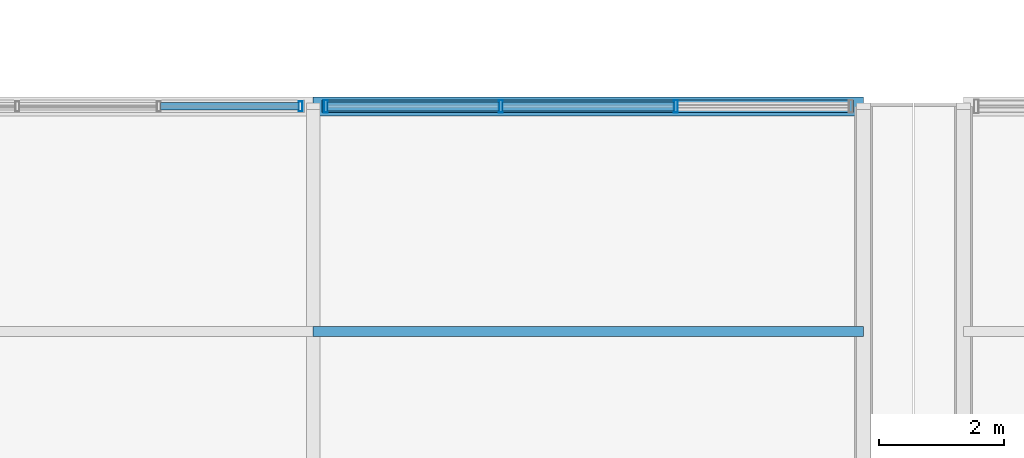
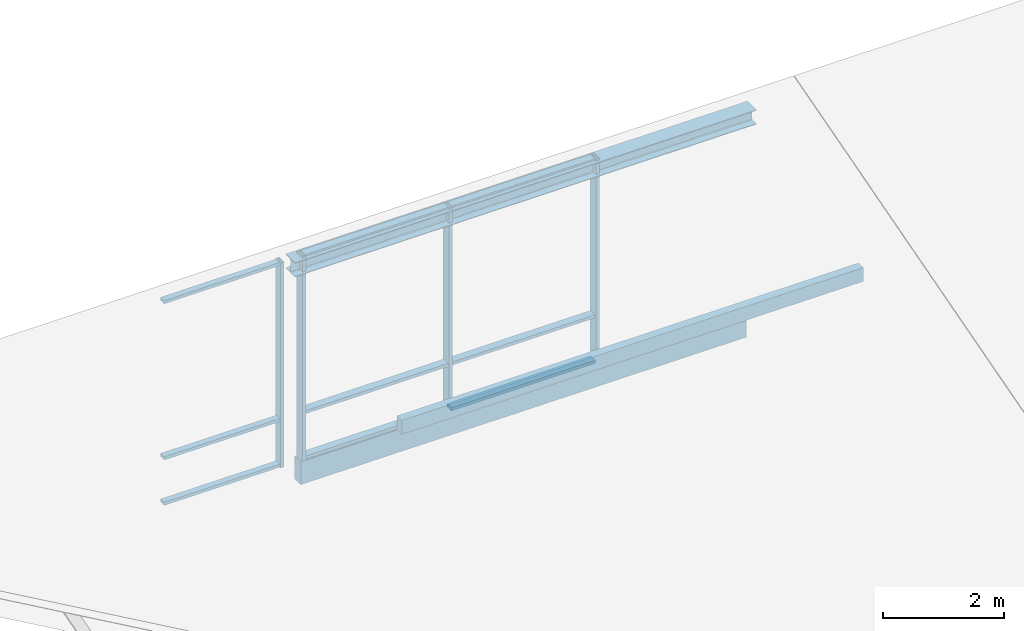
# One storey, part 5 of 32: 14 members, 2 beams, 2 elements without a shape of their own.
"""IFC4 building model written with IfcOpenShell, lengths in metres."""

from ifc_helpers import new_model, si_unit, direction, frame, origin, origin_2d, place, context, subcontext, project, spatial, rectangle, hollow_rectangle, i_section, extrude, material, material_profile, profile_set, type_object, element, aggregate, save


model = new_model("IFC4")

# Units and contexts
model_context = context("Model", 3, precision=1e-05, world=origin(), true_north=direction((0.0, 1.0)))
body_context = subcontext(model_context, "Body", "Model", "MODEL_VIEW")
ifc_project = project(units=[si_unit("LENGTHUNIT", "METRE"), si_unit("AREAUNIT", "SQUARE_METRE"), si_unit("VOLUMEUNIT", "CUBIC_METRE"), si_unit("PLANEANGLEUNIT", "RADIAN"), si_unit("MASSUNIT", "GRAM", prefix="KILO")], contexts=[model_context])

# Site, building, storey
site_placement = place(None, origin())
site = spatial("IfcSite", under=ifc_project, at=site_placement, CompositionType="ELEMENT")
building_placement = place(site_placement, origin())
building = spatial("IfcBuilding", under=site, at=building_placement, Name="Hawrajan Terrace Health Centre", CompositionType="ELEMENT")
storey_placement = place(building_placement, frame((0.0, 0.0, 17.39990234375)))
storey = spatial("IfcBuildingStorey", under=building, at=storey_placement, Name="L04", CompositionType="ELEMENT", Elevation=17.39990234375)

# Curtain wall, member
ifc_material_1 = material(Name="Anodized bronze aluminium and low-E solar glazing", Category="aluminium")
curtain_wall_type_1 = type_object("IfcCurtainWallType", Name="CW_Clerestory_SeriesG1", PredefinedType="USERDEFINED", material=ifc_material_1)
curtain_wall_1_placement = place(storey_placement, origin())
curtain_wall_1 = element("IfcCurtainWall", 1, at=curtain_wall_1_placement, inside=storey, type_object=curtain_wall_type_1, Name="Curtain wall CW-L04-CLER-180", ObjectType="UNITISED CURTAIN WALL", PredefinedType="USERDEFINED")
ifc_material_2 = material(Name="Anodized bronze aluminium 6063-T6", Category="aluminium")
ifc_material_profile_1 = material_profile(ifc_material_2, hollow_rectangle(XDim=0.06494140625, YDim=0.159912109375, WallThickness=0.00390625, at=origin_2d()), Name="CW MUL 65x160")
ifc_profile_set_1 = profile_set([ifc_material_profile_1], Name="Anodized bronze aluminium 6063-T6")
member_type_1 = type_object("IfcMemberType", Name="CWMullion_65x160", PredefinedType="MULLION", material=ifc_profile_set_1)
member_1_placement = place(storey_placement, frame((61.99755859375, 18.60009765625, -0.204833984375), z_axis=(0.0, 0.0, 1.0), x_axis=(1.0, 0.0, 0.0)))
member_1 = element("IfcMember", 2, at=member_1_placement, type_object=member_type_1, Name="Mullion CW-L04-CLER-180-M4", PredefinedType="MULLION", context=body_context, shape_type="SweptSolid", body=[
    extrude(hollow_rectangle(XDim=0.06494140625, YDim=0.159912109375, WallThickness=0.00390625, at=origin_2d()), origin(), (0.0, 0.0, 1.0), 4.138916015625),
])

# Curtain wall, members
curtain_wall_type_2 = type_object("IfcCurtainWallType", Name="CW_Clerestory_SeriesG2", PredefinedType="USERDEFINED", material=ifc_material_1)
curtain_wall_2_placement = place(storey_placement, origin())
curtain_wall_2 = element("IfcCurtainWall", 3, at=curtain_wall_2_placement, inside=storey, type_object=curtain_wall_type_2, Name="Curtain wall CW-L04-CLER-181", ObjectType="UNITISED CURTAIN WALL", PredefinedType="USERDEFINED")
ifc_material_profile_2 = material_profile(ifc_material_2, hollow_rectangle(XDim=0.06494140625, YDim=0.199951171875, WallThickness=0.00439453125, at=origin_2d()), Name="CW MUL 65x200")
ifc_profile_set_2 = profile_set([ifc_material_profile_2], Name="Anodized bronze aluminium 6063-T6")
member_type_2 = type_object("IfcMemberType", Name="CWMullion_65x200", PredefinedType="MULLION", material=ifc_profile_set_2)
member_2_placement = place(storey_placement, frame((62.402587890625, 18.60009765625, -0.204833984375), z_axis=(0.0, 0.0, 1.0), x_axis=(1.0, 0.0, 0.0)))
member_2 = element("IfcMember", 4, at=member_2_placement, type_object=member_type_2, Name="Mullion CW-L04-CLER-181-M1", PredefinedType="MULLION", context=body_context, shape_type="SweptSolid", body=[
    extrude(hollow_rectangle(XDim=0.06494140625, YDim=0.199951171875, WallThickness=0.00439453125, at=origin_2d()), origin(), (0.0, 0.0, 1.0), 4.138916015625),
])
member_3_placement = place(storey_placement, frame((65.20068359375, 18.60009765625, -0.204833984375), z_axis=(0.0, 0.0, 1.0), x_axis=(1.0, 0.0, 0.0)))
member_3 = element("IfcMember", 5, at=member_3_placement, type_object=member_type_2, Name="Mullion CW-L04-CLER-181-M2", PredefinedType="MULLION", context=body_context, shape_type="SweptSolid", body=[
    extrude(hollow_rectangle(XDim=0.06494140625, YDim=0.199951171875, WallThickness=0.00439453125, at=origin_2d()), origin(), (0.0, 0.0, 1.0), 4.138916015625),
])
member_4_placement = place(storey_placement, frame((67.999267578125, 18.60009765625, -0.204833984375), z_axis=(0.0, 0.0, 1.0), x_axis=(1.0, 0.0, 0.0)))
member_4 = element("IfcMember", 6, at=member_4_placement, type_object=member_type_2, Name="Mullion CW-L04-CLER-181-M3", PredefinedType="MULLION", context=body_context, shape_type="SweptSolid", body=[
    extrude(hollow_rectangle(XDim=0.06494140625, YDim=0.199951171875, WallThickness=0.00439453125, at=origin_2d()), origin(), (0.0, 0.0, 1.0), 4.138916015625),
])

# Member
ifc_material_profile_3 = material_profile(ifc_material_2, hollow_rectangle(XDim=0.06494140625, YDim=0.1201171875, WallThickness=0.00341796875, at=origin_2d()), Name="CW TRN 65x120")
ifc_profile_set_3 = profile_set([ifc_material_profile_3], Name="Anodized bronze aluminium 6063-T6")
member_type_3 = type_object("IfcMemberType", Name="CWTransom_65x120", PredefinedType="USERDEFINED", material=ifc_profile_set_3)
member_5_placement = place(storey_placement, frame((59.759033203125, 18.60009765625, -0.16748046875), z_axis=(1.0, 0.0, 0.0), x_axis=(0.0, 0.0, 1.0)))
member_5 = element("IfcMember", 7, at=member_5_placement, type_object=member_type_3, Name="Transom CW-L04-CLER-180-T3-1", ObjectType="TRANSOM", PredefinedType="USERDEFINED", context=body_context, shape_type="SweptSolid", body=[
    extrude(hollow_rectangle(XDim=0.06494140625, YDim=0.1201171875, WallThickness=0.00341796875, at=origin_2d()), origin(), (0.0, 0.0, 1.0), 2.2119140625),
])

member_6_placement = place(storey_placement, frame((59.759033203125, 18.60009765625, 0.75), z_axis=(1.0, 0.0, 0.0), x_axis=(0.0, 0.0, 1.0)))
member_6 = element("IfcMember", 8, at=member_6_placement, type_object=member_type_3, Name="Transom CW-L04-CLER-180-T3-2", ObjectType="TRANSOM", PredefinedType="USERDEFINED", context=body_context, shape_type="SweptSolid", body=[
    extrude(hollow_rectangle(XDim=0.06494140625, YDim=0.1201171875, WallThickness=0.00341796875, at=origin_2d()), origin(), (0.0, 0.0, 1.0), 2.2119140625),
])

member_7_placement = place(storey_placement, frame((59.759033203125, 18.60009765625, 3.896728515625), z_axis=(1.0, 0.0, 0.0), x_axis=(0.0, 0.0, 1.0)))
member_7 = element("IfcMember", 9, at=member_7_placement, type_object=member_type_3, Name="Transom CW-L04-CLER-180-T3-3", ObjectType="TRANSOM", PredefinedType="USERDEFINED", context=body_context, shape_type="SweptSolid", body=[
    extrude(hollow_rectangle(XDim=0.06494140625, YDim=0.1201171875, WallThickness=0.00341796875, at=origin_2d()), origin(), (0.0, 0.0, 1.0), 2.2119140625),
])

aggregate(curtain_wall_1, [member_1, member_5, member_6, member_7])

ifc_material_profile_4 = material_profile(ifc_material_2, hollow_rectangle(XDim=0.06494140625, YDim=0.14990234375, WallThickness=0.00390625, at=origin_2d()), Name="CW TRN 65x150")
ifc_profile_set_4 = profile_set([ifc_material_profile_4], Name="Anodized bronze aluminium 6063-T6")
member_type_4 = type_object("IfcMemberType", Name="CWTransom_65x150", PredefinedType="USERDEFINED", material=ifc_profile_set_4)
member_8_placement = place(storey_placement, frame((62.428955078125, 18.60009765625, -0.16748046875), z_axis=(1.0, 0.0, 0.0), x_axis=(0.0, 0.0, 1.0)))
member_8 = element("IfcMember", 10, at=member_8_placement, type_object=member_type_4, Name="Transom CW-L04-CLER-181-T1-1", ObjectType="TRANSOM", PredefinedType="USERDEFINED", context=body_context, shape_type="SweptSolid", body=[
    extrude(hollow_rectangle(XDim=0.06494140625, YDim=0.14990234375, WallThickness=0.00390625, at=origin_2d()), origin(), (0.0, 0.0, 1.0), 2.745361328125),
])

member_9_placement = place(storey_placement, frame((62.428955078125, 18.60009765625, 0.75), z_axis=(1.0, 0.0, 0.0), x_axis=(0.0, 0.0, 1.0)))
member_9 = element("IfcMember", 11, at=member_9_placement, type_object=member_type_4, Name="Transom CW-L04-CLER-181-T1-2", ObjectType="TRANSOM", PredefinedType="USERDEFINED", context=body_context, shape_type="SweptSolid", body=[
    extrude(hollow_rectangle(XDim=0.06494140625, YDim=0.14990234375, WallThickness=0.00390625, at=origin_2d()), origin(), (0.0, 0.0, 1.0), 2.745361328125),
])

member_10_placement = place(storey_placement, frame((62.428955078125, 18.60009765625, 3.896728515625), z_axis=(1.0, 0.0, 0.0), x_axis=(0.0, 0.0, 1.0)))
member_10 = element("IfcMember", 12, at=member_10_placement, type_object=member_type_4, Name="Transom CW-L04-CLER-181-T1-3", ObjectType="TRANSOM", PredefinedType="USERDEFINED", context=body_context, shape_type="SweptSolid", body=[
    extrude(hollow_rectangle(XDim=0.06494140625, YDim=0.14990234375, WallThickness=0.00390625, at=origin_2d()), origin(), (0.0, 0.0, 1.0), 2.745361328125),
])

member_11_placement = place(storey_placement, frame((65.227294921875, 18.60009765625, -0.16748046875), z_axis=(1.0, 0.0, 0.0), x_axis=(0.0, 0.0, 1.0)))
member_11 = element("IfcMember", 13, at=member_11_placement, type_object=member_type_4, Name="Transom CW-L04-CLER-181-T2-1", ObjectType="TRANSOM", PredefinedType="USERDEFINED", context=body_context, shape_type="SweptSolid", body=[
    extrude(hollow_rectangle(XDim=0.06494140625, YDim=0.14990234375, WallThickness=0.00390625, at=origin_2d()), origin(), (0.0, 0.0, 1.0), 2.745361328125),
])

member_12_placement = place(storey_placement, frame((65.227294921875, 18.60009765625, 0.75), z_axis=(1.0, 0.0, 0.0), x_axis=(0.0, 0.0, 1.0)))
member_12 = element("IfcMember", 14, at=member_12_placement, type_object=member_type_4, Name="Transom CW-L04-CLER-181-T2-2", ObjectType="TRANSOM", PredefinedType="USERDEFINED", context=body_context, shape_type="SweptSolid", body=[
    extrude(hollow_rectangle(XDim=0.06494140625, YDim=0.14990234375, WallThickness=0.00390625, at=origin_2d()), origin(), (0.0, 0.0, 1.0), 2.745361328125),
])

member_13_placement = place(storey_placement, frame((65.227294921875, 18.60009765625, 3.896728515625), z_axis=(1.0, 0.0, 0.0), x_axis=(0.0, 0.0, 1.0)))
member_13 = element("IfcMember", 15, at=member_13_placement, type_object=member_type_4, Name="Transom CW-L04-CLER-181-T2-3", ObjectType="TRANSOM", PredefinedType="USERDEFINED", context=body_context, shape_type="SweptSolid", body=[
    extrude(hollow_rectangle(XDim=0.06494140625, YDim=0.14990234375, WallThickness=0.00390625, at=origin_2d()), origin(), (0.0, 0.0, 1.0), 2.745361328125),
])

aggregate(curtain_wall_2, [member_2, member_3, member_4, member_8, member_9, member_10, member_11, member_12, member_13])

# Beam
ifc_material_3 = material(Name="Glulam GL32h", Category="wood")
ifc_material_profile_5 = material_profile(ifc_material_3, rectangle(XDim=0.199951171875, YDim=0.4599609375, at=origin_2d()), Name="GL SP 200x460")
ifc_profile_set_5 = profile_set([ifc_material_profile_5], Name="Glulam GL32h")
beam_type_1 = type_object("IfcBeamType", Name="GlulamSpandrel_200x460", PredefinedType="SPANDREL", material=ifc_profile_set_5)
beam_1_placement = place(storey_placement, frame((62.340087890625, 18.60009765625, -0.429931640625), z_axis=(1.0, 0.0, 0.0), x_axis=(0.0, 1.0, 0.0)))
element("IfcBeam", 16, at=beam_1_placement, inside=storey, type_object=beam_type_1, Name="Beam BM-X-L04-W-09-Y3", PredefinedType="SPANDREL", context=body_context, shape_type="SweptSolid", body=[
    extrude(rectangle(XDim=0.199951171875, YDim=0.4599609375, at=origin_2d()), origin(), (0.0, 0.0, 1.0), 8.5),
])

# Member
ifc_material_4 = material(Name="Glulam GL28h", Category="wood")
ifc_material_profile_6 = material_profile(ifc_material_4, rectangle(XDim=0.159912109375, YDim=0.280029296875, at=origin_2d()), Name="GL PUR 160x280")
ifc_profile_set_6 = profile_set([ifc_material_profile_6], Name="Glulam GL28h")
member_type_5 = type_object("IfcMemberType", Name="RoofPurlin_160x280", PredefinedType="PURLIN", material=ifc_profile_set_6)
member_14_placement = place(storey_placement, frame((62.199951171875, 15.0, 2.717041015625), z_axis=(1.0, 0.0, 0.0), x_axis=(0.0, 1.0, 0.0)))
element("IfcMember", 17, at=member_14_placement, inside=storey, type_object=member_type_5, Name="North-light purlin W-3-3", PredefinedType="PURLIN", context=body_context, shape_type="SweptSolid", body=[
    extrude(rectangle(XDim=0.159912109375, YDim=0.280029296875, at=origin_2d()), origin(), (0.0, 0.0, 1.0), 8.800048828125),
])

# Beam
ifc_material_5 = material(Name="Steel S355", Category="steel")
ifc_material_profile_7 = material_profile(ifc_material_5, i_section(OverallWidth=0.300048828125, OverallDepth=0.2900390625, WebThickness=0.008544921875, FlangeThickness=0.013916015625, FilletRadius=0.027099609375, at=origin_2d()), Name="HEA 300")
ifc_profile_set_7 = profile_set([ifc_material_profile_7], Name="Steel S355")
beam_type_2 = type_object("IfcBeamType", Name="SteelBeam_HEA300", PredefinedType="BEAM", material=ifc_profile_set_7)
beam_2_placement = place(storey_placement, frame((62.199951171875, 18.60009765625, 3.749267578125), z_axis=(1.0, 0.0, 0.0), x_axis=(0.0, 1.0, 0.0)))
element("IfcBeam", 18, at=beam_2_placement, inside=storey, type_object=beam_type_2, Name="Clerestory head beam W-3", PredefinedType="BEAM", context=body_context, shape_type="SweptSolid", body=[
    extrude(i_section(OverallWidth=0.300048828125, OverallDepth=0.2900390625, WebThickness=0.008544921875, FlangeThickness=0.013916015625, FilletRadius=0.027099609375, at=origin_2d()), origin(), (0.0, 0.0, 1.0), 8.800048828125),
])

save(model, "model.ifc")
